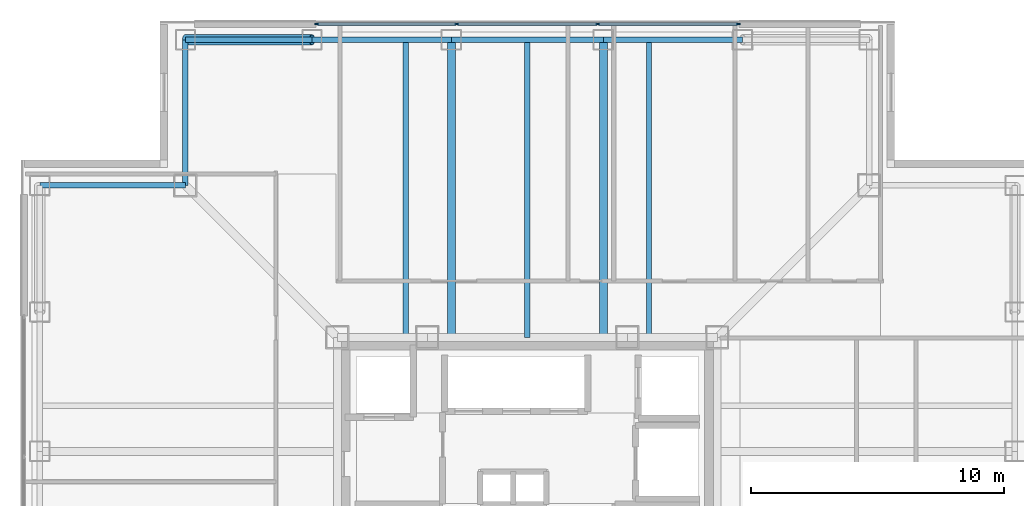
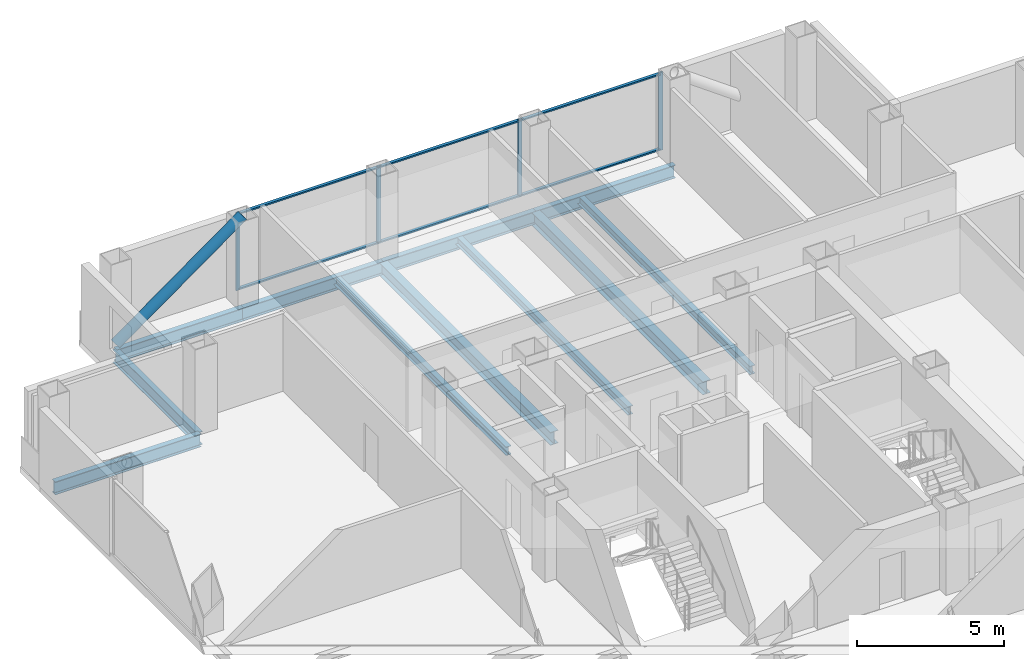
# One storey, part 7 of 16: 11 beams, 11 members, 1 element without a shape of its own.
"""IFC4 building model written with IfcOpenShell, lengths in metres."""

from ifc_helpers import new_model, si_unit, direction, frame, origin, origin_2d, place, context, subcontext, project, spatial, rectangle, hollow_circle, i_section, extrude, material, layer, layer_set, material_profile, profile_set, type_object, element, aggregate, save


model = new_model("IFC4")

# Units and contexts
model_context = context("Model", 3, precision=1e-05, world=origin(), true_north=direction((0.0, 1.0)))
body_context = subcontext(model_context, "Body", "Model", "MODEL_VIEW")
ifc_project = project(units=[si_unit("LENGTHUNIT", "METRE"), si_unit("AREAUNIT", "SQUARE_METRE"), si_unit("VOLUMEUNIT", "CUBIC_METRE"), si_unit("PLANEANGLEUNIT", "RADIAN"), si_unit("MASSUNIT", "GRAM", prefix="KILO")], contexts=[model_context])

# Site, building, storey
site_placement = place(None, origin())
site = spatial("IfcSite", under=ifc_project, at=site_placement, CompositionType="ELEMENT")
building_placement = place(site_placement, origin())
building = spatial("IfcBuilding", under=site, at=building_placement, Name="Trevonay Congress Spire", CompositionType="ELEMENT")
storey_placement = place(building_placement, frame((0.0, 0.0, 223.800048828125)))
storey = spatial("IfcBuildingStorey", under=building, at=storey_placement, Name="L58", CompositionType="ELEMENT", Elevation=223.800048828125)

# Beams
ifc_material_1 = material(Name="Steel ASTM A572 Grade 50", Category="steel")
ifc_material_profile_1 = material_profile(ifc_material_1, i_section(OverallWidth=0.31201171875, OverallDepth=0.54296875, WebThickness=0.0126953125, FlangeThickness=0.020263671875, FilletRadius=0.014892578125, at=origin_2d()), Name="W530x150")
ifc_profile_set_1 = profile_set([ifc_material_profile_1], Name="Steel ASTM A572 Grade 50")
beam_type_1 = type_object("IfcBeamType", Name="BM-GIRD-W530X150", PredefinedType="BEAM", material=ifc_profile_set_1)
for number, where, z_axis, x_axis, name in (
    (1, (-3.0, 7.5, -0.511474609375), (0.0, 1.0, 0.0), (-1.0, 0.0, 0.0), "L58 structural beam BM-L58-GN-M"),
    (2, (3.0, 7.5, -0.511474609375), (0.0, 1.0, 0.0), (-1.0, 0.0, 0.0), "L58 structural beam BM-L58-GN-P"),
):
    element("IfcBeam", number, at=place(storey_placement, frame(where, z_axis=z_axis, x_axis=x_axis)), inside=storey, type_object=beam_type_1, Name=name, PredefinedType="BEAM", context=body_context, shape_type="SweptSolid", body=[
        extrude(i_section(OverallWidth=0.31201171875, OverallDepth=0.54296875, WebThickness=0.0126953125, FlangeThickness=0.020263671875, FilletRadius=0.014892578125, at=origin_2d()), origin(), (0.0, 0.0, 1.0), 11.75),
    ])
ifc_material_profile_2 = material_profile(ifc_material_1, i_section(OverallWidth=0.2119140625, OverallDepth=0.5439453125, WebThickness=0.01318359375, FlangeThickness=0.021240234375, FilletRadius=0.014892578125, at=origin_2d()), Name="W530x123")
ifc_profile_set_2 = profile_set([ifc_material_profile_2], Name="Steel ASTM A572 Grade 50")
beam_type_2 = type_object("IfcBeamType", Name="BM-RING-W530X123", PredefinedType="BEAM", material=ifc_profile_set_2)
beam_1_placement = place(storey_placement, frame((-13.5, 19.25, -0.511962890625), z_axis=(1.0, 0.0, 0.0), x_axis=(0.0, 1.0, 0.0)))
element("IfcBeam", 3, at=beam_1_placement, inside=storey, type_object=beam_type_2, Name="L58 structural beam BM-L58-PN1", PredefinedType="BEAM", context=body_context, shape_type="SweptSolid", body=[
    extrude(i_section(OverallWidth=0.2119140625, OverallDepth=0.5439453125, WebThickness=0.01318359375, FlangeThickness=0.021240234375, FilletRadius=0.014892578125, at=origin_2d()), origin(), (0.0, 0.0, 1.0), 5.0),
])
beam_2_placement = place(storey_placement, frame((-8.5, 19.25, -0.511962890625), z_axis=(1.0, 0.0, 0.0), x_axis=(0.0, 1.0, 0.0)))
element("IfcBeam", 4, at=beam_2_placement, inside=storey, type_object=beam_type_2, Name="L58 structural beam BM-L58-PN2", PredefinedType="BEAM", context=body_context, shape_type="SweptSolid", body=[
    extrude(i_section(OverallWidth=0.2119140625, OverallDepth=0.5439453125, WebThickness=0.01318359375, FlangeThickness=0.021240234375, FilletRadius=0.014892578125, at=origin_2d()), origin(), (0.0, 0.0, 1.0), 5.5),
])
beam_3_placement = place(storey_placement, frame((-3.0, 19.25, -0.511962890625), z_axis=(1.0, 0.0, 0.0), x_axis=(0.0, 1.0, 0.0)))
element("IfcBeam", 5, at=beam_3_placement, inside=storey, type_object=beam_type_2, Name="L58 structural beam BM-L58-PN3", PredefinedType="BEAM", context=body_context, shape_type="SweptSolid", body=[
    extrude(i_section(OverallWidth=0.2119140625, OverallDepth=0.5439453125, WebThickness=0.01318359375, FlangeThickness=0.021240234375, FilletRadius=0.014892578125, at=origin_2d()), origin(), (0.0, 0.0, 1.0), 6.0),
])
beam_4_placement = place(storey_placement, frame((3.0, 19.25, -0.511962890625), z_axis=(1.0, 0.0, 0.0), x_axis=(0.0, 1.0, 0.0)))
element("IfcBeam", 6, at=beam_4_placement, inside=storey, type_object=beam_type_2, Name="L58 structural beam BM-L58-PN4", PredefinedType="BEAM", context=body_context, shape_type="SweptSolid", body=[
    extrude(i_section(OverallWidth=0.2119140625, OverallDepth=0.5439453125, WebThickness=0.01318359375, FlangeThickness=0.021240234375, FilletRadius=0.014892578125, at=origin_2d()), origin(), (0.0, 0.0, 1.0), 5.5),
])
for number, where, z_axis, x_axis, name in (
    (7, (-13.5, 19.25, -0.511962890625), (0.0, -1.0, 0.0), (1.0, 0.0, 0.0), "L58 structural beam BM-L58-N1NW"),
    (8, (-19.25, 13.5, -0.511962890625), (1.0, 0.0, 0.0), (0.0, 1.0, 0.0), "L58 structural beam BM-L58-N2NW"),
):
    element("IfcBeam", number, at=place(storey_placement, frame(where, z_axis=z_axis, x_axis=x_axis)), inside=storey, type_object=beam_type_2, Name=name, PredefinedType="BEAM", context=body_context, shape_type="SweptSolid", body=[
        extrude(i_section(OverallWidth=0.2119140625, OverallDepth=0.5439453125, WebThickness=0.01318359375, FlangeThickness=0.021240234375, FilletRadius=0.014892578125, at=origin_2d()), origin(), (0.0, 0.0, 1.0), 5.75),
    ])

# Curtain wall, members
ifc_material_2 = material(Name="Pale Anodised Aluminium EN AW-6063-T6", Category="aluminium")
ifc_layer = layer(ifc_material_2, 0.169921875, Name="Pale Anodised Aluminium EN AW-6063-T6")
ifc_layer_set = layer_set([ifc_layer], Name="Pale Anodised Aluminium EN AW-6063-T6")
curtain_wall_type = type_object("IfcCurtainWallType", Name="CW-SYS04-CORP-PALE-METAL", PredefinedType="NOTDEFINED", material=ifc_layer_set)
curtain_wall_placement = place(storey_placement, origin())
curtain_wall = element("IfcCurtainWall", 9, at=curtain_wall_placement, inside=storey, type_object=curtain_wall_type, Name="L58 N unitised curtain wall", PredefinedType="NOTDEFINED")
ifc_material_profile_3 = material_profile(ifc_material_2, rectangle(XDim=0.06005859375, YDim=0.159912109375, at=origin_2d()), Name="CW-MULLION-160-ALUMINIUM")
ifc_profile_set_3 = profile_set([ifc_material_profile_3], Name="Pale Anodised Aluminium EN AW-6063-T6")
member_type_1 = type_object("IfcMemberType", Name="CW-MULLION-160-ALUMINIUM", PredefinedType="MULLION", material=ifc_profile_set_3)
member_1_placement = place(storey_placement, frame((-8.320068359375, 19.8798828125, 0.0), z_axis=(0.0, 0.0, 1.0), x_axis=(0.0, 1.0, 0.0)))
member_1 = element("IfcMember", 10, at=member_1_placement, type_object=member_type_1, Name="CW04 mullion 1", PredefinedType="MULLION", context=body_context, shape_type="SweptSolid", body=[
    extrude(rectangle(XDim=0.06005859375, YDim=0.159912109375, at=origin_2d()), origin(), (0.0, 0.0, 1.0), 3.25),
])
member_2_placement = place(storey_placement, frame((-2.783447265625, 19.8798828125, 0.0), z_axis=(0.0, 0.0, 1.0), x_axis=(0.0, 1.0, 0.0)))
member_2 = element("IfcMember", 11, at=member_2_placement, type_object=member_type_1, Name="CW04 mullion 2", PredefinedType="MULLION", context=body_context, shape_type="SweptSolid", body=[
    extrude(rectangle(XDim=0.06005859375, YDim=0.159912109375, at=origin_2d()), origin(), (0.0, 0.0, 1.0), 3.25),
])
member_3_placement = place(storey_placement, frame((2.783447265625, 19.8798828125, 0.0), z_axis=(0.0, 0.0, 1.0), x_axis=(0.0, 1.0, 0.0)))
member_3 = element("IfcMember", 12, at=member_3_placement, type_object=member_type_1, Name="CW04 mullion 3", PredefinedType="MULLION", context=body_context, shape_type="SweptSolid", body=[
    extrude(rectangle(XDim=0.06005859375, YDim=0.159912109375, at=origin_2d()), origin(), (0.0, 0.0, 1.0), 3.25),
])
member_4_placement = place(storey_placement, frame((8.320068359375, 19.8798828125, 0.0), z_axis=(0.0, 0.0, 1.0), x_axis=(0.0, 1.0, 0.0)))
member_4 = element("IfcMember", 13, at=member_4_placement, type_object=member_type_1, Name="CW04 mullion 4", PredefinedType="MULLION", context=body_context, shape_type="SweptSolid", body=[
    extrude(rectangle(XDim=0.06005859375, YDim=0.159912109375, at=origin_2d()), origin(), (0.0, 0.0, 1.0), 3.25),
])
ifc_material_profile_4 = material_profile(ifc_material_2, rectangle(XDim=0.1201171875, YDim=0.06005859375, at=origin_2d()), Name="CW-TRANSOM-120-ALUMINIUM")
ifc_profile_set_4 = profile_set([ifc_material_profile_4], Name="Pale Anodised Aluminium EN AW-6063-T6")
member_type_2 = type_object("IfcMemberType", Name="CW-TRANSOM-120-ALUMINIUM", PredefinedType="USERDEFINED", material=ifc_profile_set_4)
member_5_placement = place(storey_placement, frame((-8.2900390625, 19.8798828125, 0.06005859375), z_axis=(1.0, 0.0, 0.0), x_axis=(0.0, 1.0, 0.0)))
member_5 = element("IfcMember", 14, at=member_5_placement, type_object=member_type_2, Name="CW04 transom 1.1", ObjectType="TRANSOM", PredefinedType="USERDEFINED", context=body_context, shape_type="SweptSolid", body=[
    extrude(rectangle(XDim=0.1201171875, YDim=0.06005859375, at=origin_2d()), origin(), (0.0, 0.0, 1.0), 5.476806640625),
])
member_6_placement = place(storey_placement, frame((-8.2900390625, 19.8798828125, 3.18994140625), z_axis=(1.0, 0.0, 0.0), x_axis=(0.0, 1.0, 0.0)))
member_6 = element("IfcMember", 15, at=member_6_placement, type_object=member_type_2, Name="CW04 transom 1.2", ObjectType="TRANSOM", PredefinedType="USERDEFINED", context=body_context, shape_type="SweptSolid", body=[
    extrude(rectangle(XDim=0.1201171875, YDim=0.06005859375, at=origin_2d()), origin(), (0.0, 0.0, 1.0), 5.476806640625),
])
member_7_placement = place(storey_placement, frame((-2.75341796875, 19.8798828125, 0.06005859375), z_axis=(1.0, 0.0, 0.0), x_axis=(0.0, 1.0, 0.0)))
member_7 = element("IfcMember", 16, at=member_7_placement, type_object=member_type_2, Name="CW04 transom 2.1", ObjectType="TRANSOM", PredefinedType="USERDEFINED", context=body_context, shape_type="SweptSolid", body=[
    extrude(rectangle(XDim=0.1201171875, YDim=0.06005859375, at=origin_2d()), origin(), (0.0, 0.0, 1.0), 5.5068359375),
])
member_8_placement = place(storey_placement, frame((-2.75341796875, 19.8798828125, 3.18994140625), z_axis=(1.0, 0.0, 0.0), x_axis=(0.0, 1.0, 0.0)))
member_8 = element("IfcMember", 17, at=member_8_placement, type_object=member_type_2, Name="CW04 transom 2.2", ObjectType="TRANSOM", PredefinedType="USERDEFINED", context=body_context, shape_type="SweptSolid", body=[
    extrude(rectangle(XDim=0.1201171875, YDim=0.06005859375, at=origin_2d()), origin(), (0.0, 0.0, 1.0), 5.5068359375),
])
member_9_placement = place(storey_placement, frame((2.813232421875, 19.8798828125, 0.06005859375), z_axis=(1.0, 0.0, 0.0), x_axis=(0.0, 1.0, 0.0)))
member_9 = element("IfcMember", 18, at=member_9_placement, type_object=member_type_2, Name="CW04 transom 3.1", ObjectType="TRANSOM", PredefinedType="USERDEFINED", context=body_context, shape_type="SweptSolid", body=[
    extrude(rectangle(XDim=0.1201171875, YDim=0.06005859375, at=origin_2d()), origin(), (0.0, 0.0, 1.0), 5.476806640625),
])
member_10_placement = place(storey_placement, frame((2.813232421875, 19.8798828125, 3.18994140625), z_axis=(1.0, 0.0, 0.0), x_axis=(0.0, 1.0, 0.0)))
member_10 = element("IfcMember", 19, at=member_10_placement, type_object=member_type_2, Name="CW04 transom 3.2", ObjectType="TRANSOM", PredefinedType="USERDEFINED", context=body_context, shape_type="SweptSolid", body=[
    extrude(rectangle(XDim=0.1201171875, YDim=0.06005859375, at=origin_2d()), origin(), (0.0, 0.0, 1.0), 5.476806640625),
])
aggregate(curtain_wall, [member_1, member_2, member_3, member_4, member_5, member_6, member_7, member_8, member_9, member_10])

# Beams
ifc_material_profile_5 = material_profile(ifc_material_1, i_section(OverallWidth=0.205078125, OverallDepth=0.35400390625, WebThickness=0.009521484375, FlangeThickness=0.016845703125, FilletRadius=0.011962890625, at=origin_2d()), Name="W360x79")
ifc_profile_set_5 = profile_set([ifc_material_profile_5], Name="Steel ASTM A572 Grade 50")
beam_type_3 = type_object("IfcBeamType", Name="JS-COMP-W360X79", PredefinedType="JOIST", material=ifc_profile_set_5)
for number, where, z_axis, x_axis, name in (
    (20, (-4.800048828125, 7.5, -0.4169921875), (0.0, 1.0, 0.0), (-1.0, 0.0, 0.0), "L58 structural beam JS-L58-NS-N1"),
    (21, (0.0, 7.5, -0.4169921875), (0.0, 1.0, 0.0), (-1.0, 0.0, 0.0), "L58 structural beam JS-L58-NS-N2"),
    (22, (4.800048828125, 7.5, -0.4169921875), (0.0, 1.0, 0.0), (-1.0, 0.0, 0.0), "L58 structural beam JS-L58-NS-N3"),
):
    element("IfcBeam", number, at=place(storey_placement, frame(where, z_axis=z_axis, x_axis=x_axis)), inside=storey, type_object=beam_type_3, Name=name, PredefinedType="JOIST", context=body_context, shape_type="SweptSolid", body=[
        extrude(i_section(OverallWidth=0.205078125, OverallDepth=0.35400390625, WebThickness=0.009521484375, FlangeThickness=0.016845703125, FilletRadius=0.011962890625, at=origin_2d()), origin(), (0.0, 0.0, 1.0), 11.75),
    ])

# Member
ifc_material_3 = material(Name="Steel ASTM A500 Grade C", Category="steel")
ifc_material_profile_6 = material_profile(ifc_material_3, hollow_circle(Radius=0.203125, WallThickness=0.02001953125, at=origin_2d()), Name="CHS 406.4x20")
ifc_profile_set_6 = profile_set([ifc_material_profile_6], Name="Steel ASTM A500 Grade C")
member_type_3 = type_object("IfcMemberType", Name="MBR-TUBE-CHS406", PredefinedType="BRACE", material=ifc_profile_set_6)
member_11_placement = place(storey_placement, frame((-13.5, 19.25, -0.050048828125), z_axis=(0.811526825515, 0.0, 0.584315164504), x_axis=(0.0, 1.0, 0.0)))
element("IfcMember", 23, at=member_11_placement, inside=storey, type_object=member_type_3, Name="L58 perimeter braced-tube diagonal N0", PredefinedType="BRACE", context=body_context, shape_type="SweptSolid", body=[
    extrude(hollow_circle(Radius=0.203125, WallThickness=0.02001953125, at=origin_2d()), origin(), (0.0, 0.0, 1.0), 6.1611328125),
])

save(model, "model.ifc")
